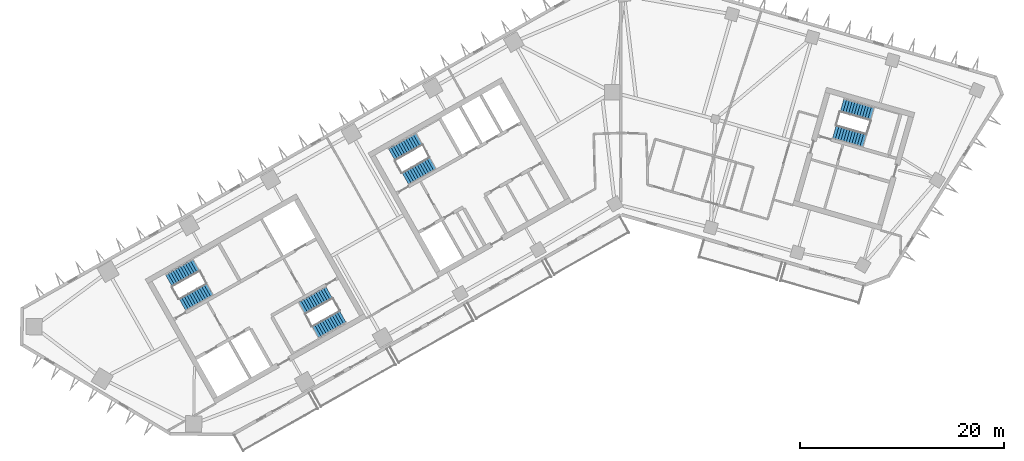
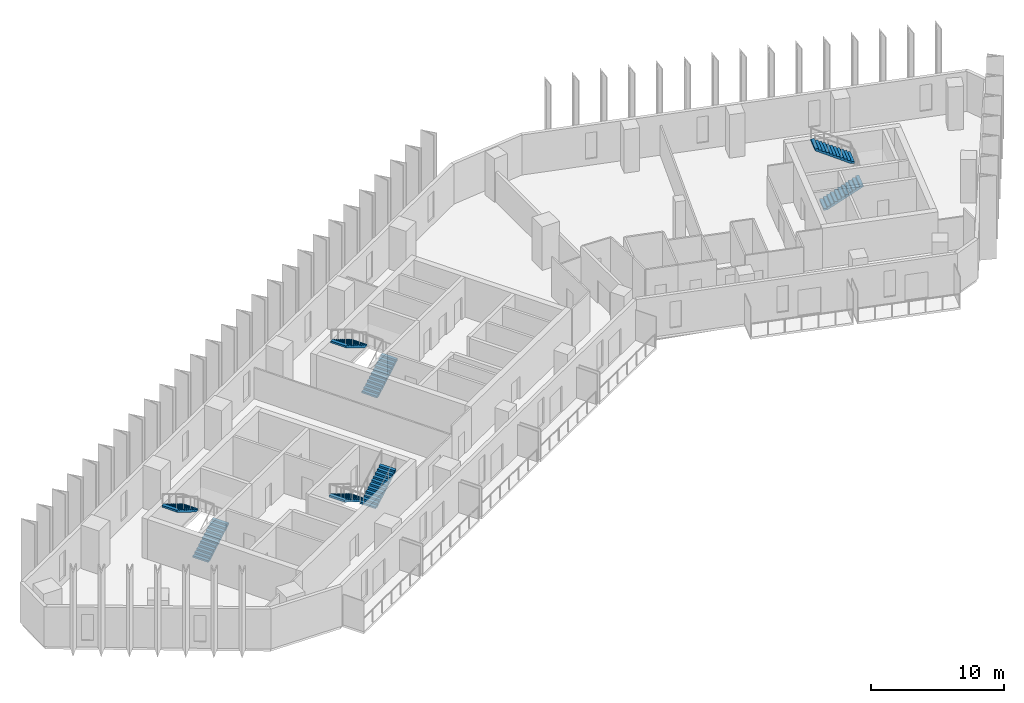
# One storey, part 7 of 10: 8 stair flights, 4 elements without a shape of their own.
"""IFC4 building model written with IfcOpenShell, lengths in metres."""

from ifc_helpers import new_model, si_unit, direction, frame, origin, place, context, subcontext, project, spatial, polyline, outline, extrude, material, type_object, element, aggregate, save


model = new_model("IFC4")

# Units and contexts
model_context = context("Model", 3, precision=1e-05, world=origin(), true_north=direction((0.0, 1.0)))
body_context = subcontext(model_context, "Body", "Model", "MODEL_VIEW")
ifc_project = project(units=[si_unit("LENGTHUNIT", "METRE"), si_unit("AREAUNIT", "SQUARE_METRE"), si_unit("VOLUMEUNIT", "CUBIC_METRE"), si_unit("PLANEANGLEUNIT", "RADIAN"), si_unit("MASSUNIT", "GRAM", prefix="KILO")], contexts=[model_context])

# Site, building, storey
site_placement = place(None, origin())
site = spatial("IfcSite", under=ifc_project, at=site_placement, CompositionType="ELEMENT")
building_placement = place(site_placement, origin())
building = spatial("IfcBuilding", under=site, at=building_placement, Name="Binnacle Exchange Tower", CompositionType="ELEMENT")
storey_placement = place(building_placement, frame((0.0, 0.0, 186.89990234375)))
storey = spatial("IfcBuildingStorey", under=building, at=storey_placement, Name="L40", CompositionType="ELEMENT", Elevation=186.89990234375)

# Stair, stair flights
ifc_material = material(Name="Concrete C35/45", Category="concrete")
stair_type = type_object("IfcStairType", Name="STAIR 24 RISERS 167", PredefinedType="HALF_TURN_STAIR", material=ifc_material)
stair_1_placement = place(storey_placement, origin())
stair_1 = element("IfcStair", 1, at=stair_1_placement, inside=storey, type_object=stair_type, Name="L40 Escape stair A1", PredefinedType="HALF_TURN_STAIR")
stair_flight_type = type_object("IfcStairFlightType", Name="STAIR FLIGHT 167X280", PredefinedType="STRAIGHT", material=ifc_material)
stair_flight_1_placement = place(storey_placement, frame((-42.9541015625, 39.17333984375, 0.0), z_axis=(0.0, 0.0, 1.0), x_axis=(0.870355584213, 0.492423757581, 0.0)))
stair_flight_1 = element("IfcStairFlight", 2, at=stair_flight_1_placement, type_object=stair_flight_type, Name="STA1 flight 1", NumberOfRisers=12, NumberOfTreads=11, PredefinedType="STRAIGHT", RiserHeight=0.166666667, TreadLength=0.28, context=body_context, shape_type="SweptSolid", body=[
    extrude(outline(polyline([(0.0, 0.0), (0.0, 0.166748046875), (0.280029296875, 0.166748046875), (0.280029296875, 0.333251953125), (0.56005859375, 0.333251953125), (0.56005859375, 0.5), (0.840087890625, 0.5), (0.840087890625, 0.666748046875), (1.1201171875, 0.666748046875), (1.1201171875, 0.833251953125), (1.39990234375, 0.833251953125), (1.39990234375, 1.0), (1.679931640625, 1.0), (1.679931640625, 1.166748046875), (1.9599609375, 1.166748046875), (1.9599609375, 1.333251953125), (2.239990234375, 1.333251953125), (2.239990234375, 1.5), (2.52001953125, 1.5), (2.52001953125, 1.666748046875), (2.800048828125, 1.666748046875), (2.800048828125, 1.833251953125), (3.080078125, 1.833251953125), (3.080078125, 2.0), (3.080078125, 1.658935546875), (0.29296875, 0.0), (0.0, 0.0)])), frame((0.0, 0.675048828125, 0.0), z_axis=(0.0, -1.0, 0.0), x_axis=(1.0, 0.0, 0.0)), (0.0, 0.0, 1.0), 1.35009765625),
])
stair_flight_2_placement = place(storey_placement, frame((-41.602783203125, 43.0400390625, 2.0), z_axis=(0.0, 0.0, 1.0), x_axis=(-0.870355584213, -0.492423757581, 0.0)))
stair_flight_2 = element("IfcStairFlight", 3, at=stair_flight_2_placement, type_object=stair_flight_type, Name="STA1 flight 2", NumberOfRisers=12, NumberOfTreads=11, PredefinedType="STRAIGHT", RiserHeight=0.166666667, TreadLength=0.28, context=body_context, shape_type="SweptSolid", body=[
    extrude(outline(polyline([(0.0, 0.0), (0.0, 0.166748046875), (0.280029296875, 0.166748046875), (0.280029296875, 0.333251953125), (0.56005859375, 0.333251953125), (0.56005859375, 0.5), (0.840087890625, 0.5), (0.840087890625, 0.666748046875), (1.1201171875, 0.666748046875), (1.1201171875, 0.833251953125), (1.39990234375, 0.833251953125), (1.39990234375, 1.0), (1.679931640625, 1.0), (1.679931640625, 1.166748046875), (1.9599609375, 1.166748046875), (1.9599609375, 1.333251953125), (2.239990234375, 1.333251953125), (2.239990234375, 1.5), (2.52001953125, 1.5), (2.52001953125, 1.666748046875), (2.800048828125, 1.666748046875), (2.800048828125, 1.833251953125), (3.080078125, 1.833251953125), (3.080078125, 2.0), (3.080078125, 1.658935546875), (0.29296875, 0.0), (0.0, 0.0)])), frame((0.0, 0.675048828125, 0.0), z_axis=(0.0, -1.0, 0.0), x_axis=(1.0, 0.0, 0.0)), (0.0, 0.0, 1.0), 1.35009765625),
])
aggregate(stair_1, [stair_flight_1, stair_flight_2])

stair_2_placement = place(storey_placement, origin())
stair_2 = element("IfcStair", 4, at=stair_2_placement, inside=storey, type_object=stair_type, Name="L40 Escape stair A2", PredefinedType="HALF_TURN_STAIR")
stair_flight_3_placement = place(storey_placement, frame((-28.5732421875, 40.3583984375, 0.0), z_axis=(0.0, 0.0, 1.0), x_axis=(-0.870355584213, -0.492423757581, 0.0)))
stair_flight_3 = element("IfcStairFlight", 5, at=stair_flight_3_placement, type_object=stair_flight_type, Name="STA2 flight 1", NumberOfRisers=12, NumberOfTreads=11, PredefinedType="STRAIGHT", RiserHeight=0.166666667, TreadLength=0.28, context=body_context, shape_type="SweptSolid", body=[
    extrude(outline(polyline([(0.0, 0.0), (0.0, 0.166748046875), (0.280029296875, 0.166748046875), (0.280029296875, 0.333251953125), (0.56005859375, 0.333251953125), (0.56005859375, 0.5), (0.840087890625, 0.5), (0.840087890625, 0.666748046875), (1.1201171875, 0.666748046875), (1.1201171875, 0.833251953125), (1.39990234375, 0.833251953125), (1.39990234375, 1.0), (1.679931640625, 1.0), (1.679931640625, 1.166748046875), (1.9599609375, 1.166748046875), (1.9599609375, 1.333251953125), (2.239990234375, 1.333251953125), (2.239990234375, 1.5), (2.52001953125, 1.5), (2.52001953125, 1.666748046875), (2.800048828125, 1.666748046875), (2.800048828125, 1.833251953125), (3.080078125, 1.833251953125), (3.080078125, 2.0), (3.080078125, 1.658935546875), (0.29296875, 0.0), (0.0, 0.0)])), frame((0.0, 0.675048828125, 0.0), z_axis=(0.0, -1.0, 0.0), x_axis=(1.0, 0.0, 0.0)), (0.0, 0.0, 1.0), 1.35009765625),
])
stair_flight_4_placement = place(storey_placement, frame((-29.92431640625, 36.49169921875, 2.0), z_axis=(0.0, 0.0, 1.0), x_axis=(0.870355584213, 0.492423757581, 0.0)))
stair_flight_4 = element("IfcStairFlight", 6, at=stair_flight_4_placement, type_object=stair_flight_type, Name="STA2 flight 2", NumberOfRisers=12, NumberOfTreads=11, PredefinedType="STRAIGHT", RiserHeight=0.166666667, TreadLength=0.28, context=body_context, shape_type="SweptSolid", body=[
    extrude(outline(polyline([(0.0, 0.0), (0.0, 0.166748046875), (0.280029296875, 0.166748046875), (0.280029296875, 0.333251953125), (0.56005859375, 0.333251953125), (0.56005859375, 0.5), (0.840087890625, 0.5), (0.840087890625, 0.666748046875), (1.1201171875, 0.666748046875), (1.1201171875, 0.833251953125), (1.39990234375, 0.833251953125), (1.39990234375, 1.0), (1.679931640625, 1.0), (1.679931640625, 1.166748046875), (1.9599609375, 1.166748046875), (1.9599609375, 1.333251953125), (2.239990234375, 1.333251953125), (2.239990234375, 1.5), (2.52001953125, 1.5), (2.52001953125, 1.666748046875), (2.800048828125, 1.666748046875), (2.800048828125, 1.833251953125), (3.080078125, 1.833251953125), (3.080078125, 2.0), (3.080078125, 1.658935546875), (0.29296875, 0.0), (0.0, 0.0)])), frame((0.0, 0.675048828125, 0.0), z_axis=(0.0, -1.0, 0.0), x_axis=(1.0, 0.0, 0.0)), (0.0, 0.0, 1.0), 1.35009765625),
])
aggregate(stair_2, [stair_flight_3, stair_flight_4])

stair_3_placement = place(storey_placement, origin())
stair_3 = element("IfcStair", 7, at=stair_3_placement, inside=storey, type_object=stair_type, Name="L40 Escape stair C1", PredefinedType="HALF_TURN_STAIR")
stair_flight_5_placement = place(storey_placement, frame((-21.115966796875, 51.528564453125, 0.0), z_axis=(0.0, 0.0, 1.0), x_axis=(0.870355584213, 0.492423757581, 0.0)))
stair_flight_5 = element("IfcStairFlight", 8, at=stair_flight_5_placement, type_object=stair_flight_type, Name="STC1 flight 1", NumberOfRisers=12, NumberOfTreads=11, PredefinedType="STRAIGHT", RiserHeight=0.166666667, TreadLength=0.28, context=body_context, shape_type="SweptSolid", body=[
    extrude(outline(polyline([(0.0, 0.0), (0.0, 0.166748046875), (0.280029296875, 0.166748046875), (0.280029296875, 0.333251953125), (0.56005859375, 0.333251953125), (0.56005859375, 0.5), (0.840087890625, 0.5), (0.840087890625, 0.666748046875), (1.1201171875, 0.666748046875), (1.1201171875, 0.833251953125), (1.39990234375, 0.833251953125), (1.39990234375, 1.0), (1.679931640625, 1.0), (1.679931640625, 1.166748046875), (1.9599609375, 1.166748046875), (1.9599609375, 1.333251953125), (2.239990234375, 1.333251953125), (2.239990234375, 1.5), (2.52001953125, 1.5), (2.52001953125, 1.666748046875), (2.800048828125, 1.666748046875), (2.800048828125, 1.833251953125), (3.080078125, 1.833251953125), (3.080078125, 2.0), (3.080078125, 1.658935546875), (0.29296875, 0.0), (0.0, 0.0)])), frame((0.0, 0.675048828125, 0.0), z_axis=(0.0, -1.0, 0.0), x_axis=(1.0, 0.0, 0.0)), (0.0, 0.0, 1.0), 1.35009765625),
])
stair_flight_6_placement = place(storey_placement, frame((-19.764892578125, 55.395263671875, 2.0), z_axis=(0.0, 0.0, 1.0), x_axis=(-0.870355584213, -0.492423757581, 0.0)))
stair_flight_6 = element("IfcStairFlight", 9, at=stair_flight_6_placement, type_object=stair_flight_type, Name="STC1 flight 2", NumberOfRisers=12, NumberOfTreads=11, PredefinedType="STRAIGHT", RiserHeight=0.166666667, TreadLength=0.28, context=body_context, shape_type="SweptSolid", body=[
    extrude(outline(polyline([(0.0, 0.0), (0.0, 0.166748046875), (0.280029296875, 0.166748046875), (0.280029296875, 0.333251953125), (0.56005859375, 0.333251953125), (0.56005859375, 0.5), (0.840087890625, 0.5), (0.840087890625, 0.666748046875), (1.1201171875, 0.666748046875), (1.1201171875, 0.833251953125), (1.39990234375, 0.833251953125), (1.39990234375, 1.0), (1.679931640625, 1.0), (1.679931640625, 1.166748046875), (1.9599609375, 1.166748046875), (1.9599609375, 1.333251953125), (2.239990234375, 1.333251953125), (2.239990234375, 1.5), (2.52001953125, 1.5), (2.52001953125, 1.666748046875), (2.800048828125, 1.666748046875), (2.800048828125, 1.833251953125), (3.080078125, 1.833251953125), (3.080078125, 2.0), (3.080078125, 1.658935546875), (0.29296875, 0.0), (0.0, 0.0)])), frame((0.0, 0.675048828125, 0.0), z_axis=(0.0, -1.0, 0.0), x_axis=(1.0, 0.0, 0.0)), (0.0, 0.0, 1.0), 1.35009765625),
])
aggregate(stair_3, [stair_flight_5, stair_flight_6])

stair_4_placement = place(storey_placement, origin())
stair_4 = element("IfcStair", 10, at=stair_4_placement, inside=storey, type_object=stair_type, Name="L40 Escape stair D1", PredefinedType="HALF_TURN_STAIR")
stair_flight_7_placement = place(storey_placement, frame((20.914306640625, 56.109619140625, 0.0), z_axis=(0.0, 0.0, 1.0), x_axis=(0.961261811397, -0.275636953165, 0.0)))
stair_flight_7 = element("IfcStairFlight", 11, at=stair_flight_7_placement, type_object=stair_flight_type, Name="STD1 flight 1", NumberOfRisers=12, NumberOfTreads=11, PredefinedType="STRAIGHT", RiserHeight=0.166666667, TreadLength=0.28, context=body_context, shape_type="SweptSolid", body=[
    extrude(outline(polyline([(0.0, 0.0), (0.0, 0.166748046875), (0.280029296875, 0.166748046875), (0.280029296875, 0.333251953125), (0.56005859375, 0.333251953125), (0.56005859375, 0.5), (0.840087890625, 0.5), (0.840087890625, 0.666748046875), (1.1201171875, 0.666748046875), (1.1201171875, 0.833251953125), (1.39990234375, 0.833251953125), (1.39990234375, 1.0), (1.679931640625, 1.0), (1.679931640625, 1.166748046875), (1.9599609375, 1.166748046875), (1.9599609375, 1.333251953125), (2.239990234375, 1.333251953125), (2.239990234375, 1.5), (2.52001953125, 1.5), (2.52001953125, 1.666748046875), (2.800048828125, 1.666748046875), (2.800048828125, 1.833251953125), (3.080078125, 1.833251953125), (3.080078125, 2.0), (3.080078125, 1.658935546875), (0.29296875, 0.0), (0.0, 0.0)])), frame((0.0, 0.675048828125, 0.0), z_axis=(0.0, -1.0, 0.0), x_axis=(1.0, 0.0, 0.0)), (0.0, 0.0, 1.0), 1.35009765625),
])
stair_flight_8_placement = place(storey_placement, frame((24.619384765625, 57.85595703125, 2.0), z_axis=(0.0, 0.0, 1.0), x_axis=(-0.961261811397, 0.275636953165, 0.0)))
stair_flight_8 = element("IfcStairFlight", 12, at=stair_flight_8_placement, type_object=stair_flight_type, Name="STD1 flight 2", NumberOfRisers=12, NumberOfTreads=11, PredefinedType="STRAIGHT", RiserHeight=0.166666667, TreadLength=0.28, context=body_context, shape_type="SweptSolid", body=[
    extrude(outline(polyline([(0.0, 0.0), (0.0, 0.166748046875), (0.280029296875, 0.166748046875), (0.280029296875, 0.333251953125), (0.56005859375, 0.333251953125), (0.56005859375, 0.5), (0.840087890625, 0.5), (0.840087890625, 0.666748046875), (1.1201171875, 0.666748046875), (1.1201171875, 0.833251953125), (1.39990234375, 0.833251953125), (1.39990234375, 1.0), (1.679931640625, 1.0), (1.679931640625, 1.166748046875), (1.9599609375, 1.166748046875), (1.9599609375, 1.333251953125), (2.239990234375, 1.333251953125), (2.239990234375, 1.5), (2.52001953125, 1.5), (2.52001953125, 1.666748046875), (2.800048828125, 1.666748046875), (2.800048828125, 1.833251953125), (3.080078125, 1.833251953125), (3.080078125, 2.0), (3.080078125, 1.658935546875), (0.29296875, 0.0), (0.0, 0.0)])), frame((0.0, 0.675048828125, 0.0), z_axis=(0.0, -1.0, 0.0), x_axis=(1.0, 0.0, 0.0)), (0.0, 0.0, 1.0), 1.35009765625),
])
aggregate(stair_4, [stair_flight_7, stair_flight_8])

save(model, "model.ifc")
